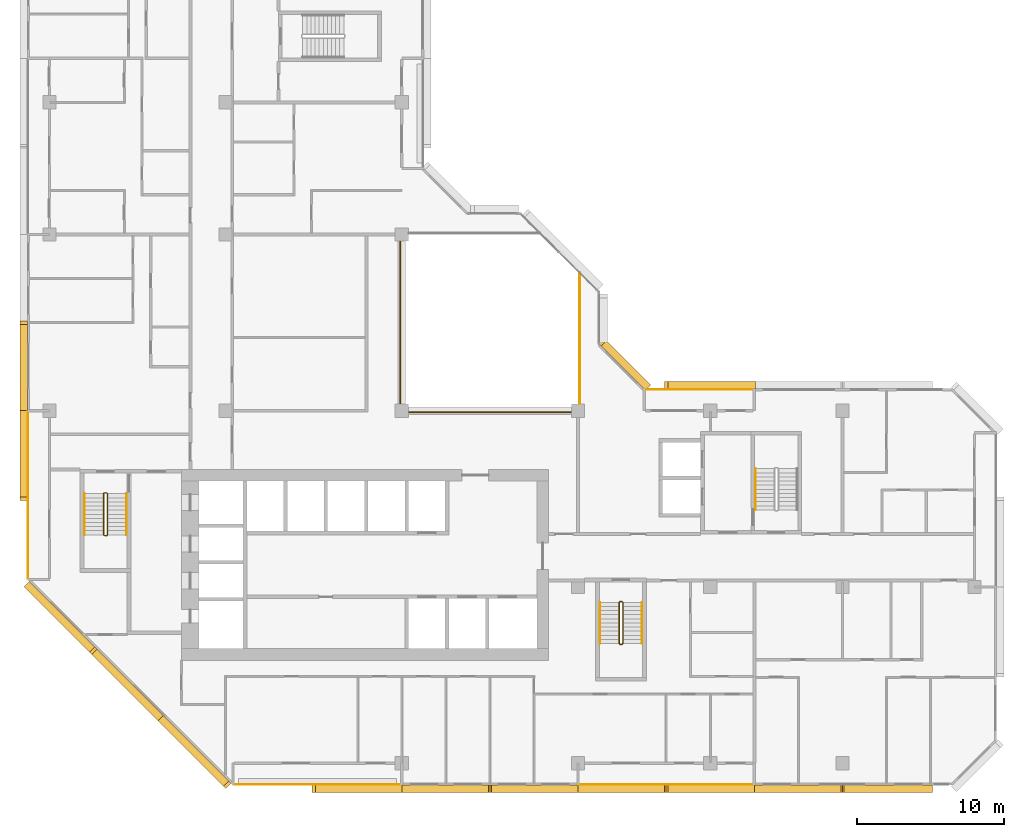
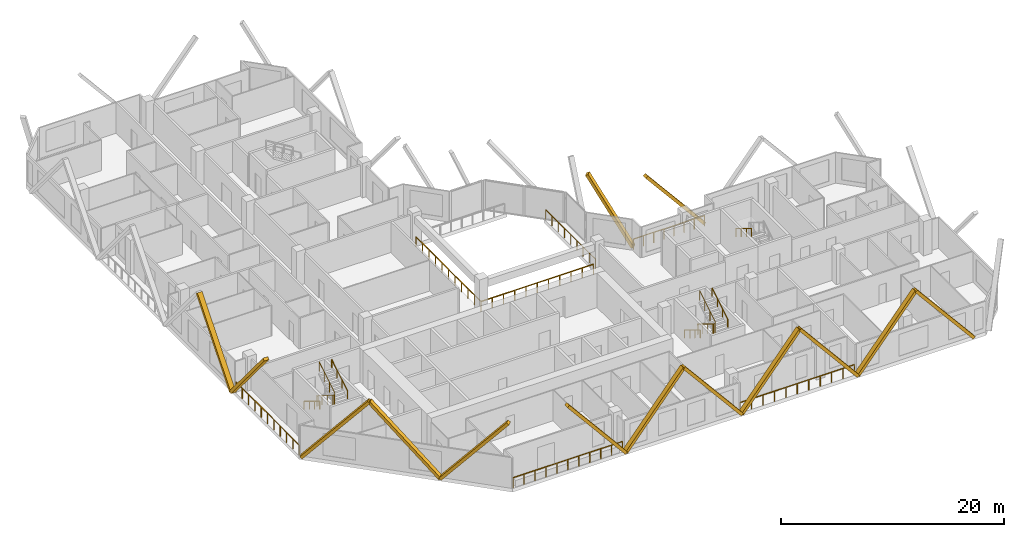
# One storey, part 13 of 14: 14 coverings, 13 railings.
"""IFC4 building model written with IfcOpenShell, lengths in metres."""

import ifcopenshell
import ifcopenshell.guid

model = None  # the IFC model being written
_history = None  # IfcOwnerHistory: only IFC2X3 demands one
_inside = {}  # id of a spatial element -> (the spatial element, [elements in it])
_under = {}  # id of a project, library or spatial element -> (it, [spatial elements below it])
_declared = {}  # id of a project -> (the project, [libraries it declares])
_typed = {}  # id of a type object -> (the type object, [elements of that type])
_made_of = {}  # id of a material, layer set ... -> (it, [elements and type objects made of it])


def new_model(schema):
    """Start an empty IFC model of exactly this schema.

    Asked for "IFC4X3", IfcOpenShell would pick the latest addendum, in which some entities
    have other attributes; the version numbers below select the first issue.
    IFC2X3 requires an IfcOwnerHistory on every rooted entity: one is made here for all.
    """
    global model, _history
    if schema == "IFC4X3":
        model = ifcopenshell.file(schema_version=(4, 3, 0, 0))
    else:
        model = ifcopenshell.file(schema=schema)
    _inside.clear()
    _under.clear()
    _declared.clear()
    _typed.clear()
    _made_of.clear()
    _history = None
    if model.schema == "IFC2X3":
        org = make("IfcOrganization", Name="unknown")
        user = make(
            "IfcPersonAndOrganization",
            ThePerson=make("IfcPerson", FamilyName="unknown"),
            TheOrganization=org,
        )
        app = make(
            "IfcApplication",
            ApplicationDeveloper=org,
            Version="unknown",
            ApplicationFullName="unknown",
            ApplicationIdentifier="unknown",
        )
        _history = make(
            "IfcOwnerHistory",
            OwningUser=user,
            OwningApplication=app,
            ChangeAction="ADDED",
            CreationDate=0,
        )
    return model


def make(cls, **values):
    """One entity of the class cls with the attributes given. An attribute that is None is left unset."""
    return model.create_entity(
        cls, **{name: value for name, value in values.items() if value is not None}
    )


def rooted(cls, **values):
    """An entity with a GlobalId (a new one), such as an element, a storey or a relation."""
    return make(cls, GlobalId=ifcopenshell.guid.new(), OwnerHistory=_history, **values)


def si_unit(unit_type, name, prefix=None):
    """IfcSIUnit, for example si_unit("LENGTHUNIT", "METRE", prefix="MILLI")."""
    return make("IfcSIUnit", UnitType=unit_type, Prefix=prefix, Name=name)


def assignment(units):
    """IfcUnitAssignment: the units of a project."""
    return None if units is None else make("IfcUnitAssignment", Units=units)


def point(xyz):
    """IfcCartesianPoint."""
    return None if xyz is None else make("IfcCartesianPoint", Coordinates=xyz)


def direction(xyz):
    """IfcDirection."""
    return None if xyz is None else make("IfcDirection", DirectionRatios=xyz)


def frame(location, z_axis=None, x_axis=None):
    """IfcAxis2Placement3D, a coordinate frame: its origin and axes. An axis left out is left unset."""
    return make(
        "IfcAxis2Placement3D",
        Location=point(location),
        Axis=direction(z_axis),
        RefDirection=direction(x_axis),
    )


def frame_2d(location, x_axis=None):
    """IfcAxis2Placement2D, a coordinate frame in the plane: its origin and x axis."""
    return make(
        "IfcAxis2Placement2D", Location=point(location), RefDirection=direction(x_axis)
    )


def origin():
    """The frame at (0, 0, 0) with its axes left unset."""
    return frame((0.0, 0.0, 0.0))


def origin_2d():
    """The frame at (0, 0) in the plane with its x axis left unset."""
    return frame_2d((0.0, 0.0))


def place(relative_to, where):
    """IfcLocalPlacement: puts the frame where relative to a parent placement (None: the world)."""
    return make(
        "IfcLocalPlacement", PlacementRelTo=relative_to, RelativePlacement=where
    )


def context(
    kind, dimensions, precision=None, world=None, true_north=None, identifier=None
):
    """IfcGeometricRepresentationContext, for example the 3D "Model" context."""
    return make(
        "IfcGeometricRepresentationContext",
        ContextIdentifier=identifier,
        ContextType=kind,
        CoordinateSpaceDimension=dimensions,
        Precision=precision,
        WorldCoordinateSystem=world,
        TrueNorth=true_north,
    )


def subcontext(parent, identifier, kind, view, scale=None):
    """IfcGeometricRepresentationSubContext, for example "Body" below "Model"."""
    return make(
        "IfcGeometricRepresentationSubContext",
        ContextIdentifier=identifier,
        ContextType=kind,
        ParentContext=parent,
        TargetScale=scale,
        TargetView=view,
    )


def project(units=None, contexts=None):
    """IfcProject with its units and contexts."""
    return rooted(
        "IfcProject",
        Name="project",
        RepresentationContexts=contexts,
        UnitsInContext=assignment(units),
    )


def spatial(cls, under=None, at=None, **own):
    """A site, building, storey or space (cls), placed at a placement, below another one or the project."""
    s = rooted(cls, ObjectPlacement=at, **own)
    if under is not None:
        _under.setdefault(under.id(), (under, []))[1].append(s)
    return s


def profile(cls, at=None, kind="AREA", **sizes):
    """A parametric profile (cls). Its sizes go by their IFC names, for example OverallWidth=200.0."""
    return make(cls, ProfileType=kind, Position=at, **sizes)


def rectangle(**sizes):
    """IfcRectangleProfileDef."""
    return profile("IfcRectangleProfileDef", **sizes)


def extrude(swept, where, along, depth):
    """IfcExtrudedAreaSolid: the profile swept, set in the frame where, extruded along a direction by depth."""
    return make(
        "IfcExtrudedAreaSolid",
        SweptArea=swept,
        Position=where,
        ExtrudedDirection=direction(along),
        Depth=depth,
    )


def shape(context_of_items, identifier, shape_type, items):
    """IfcShapeRepresentation: the items that make up one representation, for example the "Body"."""
    return make(
        "IfcShapeRepresentation",
        ContextOfItems=context_of_items,
        RepresentationIdentifier=identifier,
        RepresentationType=shape_type,
        Items=items,
    )


def material(Name=None, Category=None):
    """IfcMaterial."""
    return make("IfcMaterial", Name=Name, Category=Category)


def material_profile(
    of_material, cross_section, Name=None, Category=None, Priority=None
):
    """IfcMaterialProfile: a cross section and its material."""
    return make(
        "IfcMaterialProfile",
        Name=Name,
        Material=of_material,
        Profile=cross_section,
        Priority=Priority,
        Category=Category,
    )


def profile_set(profiles, Name=None, composite=None):
    """IfcMaterialProfileSet."""
    return make(
        "IfcMaterialProfileSet",
        Name=Name,
        MaterialProfiles=profiles,
        CompositeProfile=composite,
    )


def made_of(thing, what):
    """Note that an element or type object is made of a material, layer set ...; save() writes the relation."""
    if what is not None:
        _made_of.setdefault(what.id(), (what, []))[1].append(thing)
    return thing


def type_object(cls, material=None, **own):
    """A type object (cls), such as IfcWallType, which elements share."""
    return made_of(rooted(cls, **own), material)


def element(
    cls,
    number,
    at=None,
    inside=None,
    cuts=None,
    type_object=None,
    material=None,
    context=None,
    identifier="Body",
    shape_type=None,
    held_by="IfcProductDefinitionShape",
    body=None,
    shapes=None,
    **own,
):
    """One element of the class cls, such as IfcWall. Its Tag is "e" and its number.

    at: its placement. inside: the storey or other place that contains it. cuts: it is an
    opening in that element (IfcRelVoidsElement). A single representation is given by context,
    identifier, shape_type and body (its items); several are given by shapes. held_by: the class
    of the entity that holds the representations. save() writes the other relations.
    """
    e = rooted(cls, Tag="e%d" % number, ObjectPlacement=at, **own)
    if body is not None:
        shapes = [shape(context, identifier, shape_type, body)]
    if shapes is not None:
        e.Representation = make(held_by, Representations=shapes)
    if inside is not None:
        _inside.setdefault(inside.id(), (inside, []))[1].append(e)
    if cuts is not None:
        rooted(
            "IfcRelVoidsElement", RelatingBuildingElement=cuts, RelatedOpeningElement=e
        )
    if type_object is not None:
        _typed.setdefault(type_object.id(), (type_object, []))[1].append(e)
    return made_of(e, material)


def aggregate(whole, parts):
    """IfcRelAggregates: a whole, such as a stair, and the parts it consists of."""
    return rooted("IfcRelAggregates", RelatingObject=whole, RelatedObjects=parts)


def save(model, path):
    """Write the relations noted so far, then the file.

    IfcRelAggregates (storeys below a building ...), IfcRelContainedInSpatialStructure (elements
    in a storey), IfcRelDefinesByType, IfcRelAssociatesMaterial and IfcRelDeclares: one each for
    every whole, place, type object, material and project.
    """
    for whole, parts in _under.values():
        aggregate(whole, parts)
    for where, things in _inside.values():
        rooted(
            "IfcRelContainedInSpatialStructure",
            RelatedElements=things,
            RelatingStructure=where,
        )
    for kind, things in _typed.values():
        rooted("IfcRelDefinesByType", RelatedObjects=things, RelatingType=kind)
    for what, things in _made_of.values():
        rooted("IfcRelAssociatesMaterial", RelatedObjects=things, RelatingMaterial=what)
    for by, libraries in _declared.values():
        rooted("IfcRelDeclares", RelatingContext=by, RelatedDefinitions=libraries)
    model.write(path)


model = new_model("IFC4")

# Units and contexts
model_context = context("Model", 3, precision=1e-05, world=origin(), true_north=direction((0.0, 1.0)))
body_context = subcontext(model_context, "Body", "Model", "MODEL_VIEW")
ifc_project = project(units=[si_unit("LENGTHUNIT", "METRE"), si_unit("AREAUNIT", "SQUARE_METRE"), si_unit("VOLUMEUNIT", "CUBIC_METRE"), si_unit("PLANEANGLEUNIT", "RADIAN"), si_unit("MASSUNIT", "GRAM", prefix="KILO")], contexts=[model_context])

# Site, building, storey
site_placement = place(None, origin())
site = spatial("IfcSite", under=ifc_project, at=site_placement, CompositionType="ELEMENT")
building_placement = place(site_placement, origin())
building = spatial("IfcBuilding", under=site, at=building_placement, Name="Chenar Terraces", CompositionType="ELEMENT")
storey_placement = place(building_placement, frame((0.0, 0.0, 179.89990234375)))
storey = spatial("IfcBuildingStorey", under=building, at=storey_placement, Name="L41", CompositionType="ELEMENT", Elevation=179.89990234375)

# Railings
ifc_material_1 = material(Name="Powder-coated steel", Category="steel")
railing_type_1 = type_object("IfcRailingType", Name="Guard 1100 steel rail with glass infill", PredefinedType="GUARDRAIL", material=ifc_material_1)
railing_1_placement = place(storey_placement, frame((23.89990234375, 35.550048828125, 0.0)))
element("IfcRailing", 1, at=railing_1_placement, inside=storey, type_object=railing_type_1, Name="Guard L41-1", PredefinedType="GUARDRAIL", context=body_context, shape_type="SweptSolid", body=[
    extrude(rectangle(XDim=0.06005859375, YDim=0.06005859375, at=origin_2d()), frame((0.0, 0.0, 1.070068359375), z_axis=(0.0, -1.0, 0.0), x_axis=(1.0, 0.0, 0.0)), (0.0, 0.0, 1.0), 11.650146484375),
    extrude(rectangle(XDim=0.06005859375, YDim=0.06005859375, at=origin_2d()), frame((0.0, -11.650146484375, 1.070068359375), z_axis=(1.0, 0.0, 0.0), x_axis=(0.0, 1.0, 0.0)), (0.0, 0.0, 1.0), 11.650146484375),
    extrude(rectangle(XDim=0.050048828125, YDim=0.050048828125, at=origin_2d()), origin(), (0.0, 0.0, 1.0), 1.0400390625),
    extrude(rectangle(XDim=0.050048828125, YDim=0.050048828125, at=origin_2d()), frame((0.0, -1.1650390625, 0.0)), (0.0, 0.0, 1.0), 1.0400390625),
    extrude(rectangle(XDim=0.050048828125, YDim=0.050048828125, at=origin_2d()), frame((0.0, -2.330078125, 0.0)), (0.0, 0.0, 1.0), 1.0400390625),
    extrude(rectangle(XDim=0.050048828125, YDim=0.050048828125, at=origin_2d()), frame((0.0, -3.4951171875, 0.0)), (0.0, 0.0, 1.0), 1.0400390625),
    extrude(rectangle(XDim=0.050048828125, YDim=0.050048828125, at=origin_2d()), frame((0.0, -4.66015625, 0.0)), (0.0, 0.0, 1.0), 1.0400390625),
    extrude(rectangle(XDim=0.050048828125, YDim=0.050048828125, at=origin_2d()), frame((0.0, -5.8251953125, 0.0)), (0.0, 0.0, 1.0), 1.0400390625),
    extrude(rectangle(XDim=0.050048828125, YDim=0.050048828125, at=origin_2d()), frame((0.0, -6.989990234375, 0.0)), (0.0, 0.0, 1.0), 1.0400390625),
    extrude(rectangle(XDim=0.050048828125, YDim=0.050048828125, at=origin_2d()), frame((0.0, -8.155029296875, 0.0)), (0.0, 0.0, 1.0), 1.0400390625),
    extrude(rectangle(XDim=0.050048828125, YDim=0.050048828125, at=origin_2d()), frame((0.0, -9.320068359375, 0.0)), (0.0, 0.0, 1.0), 1.0400390625),
    extrude(rectangle(XDim=0.050048828125, YDim=0.050048828125, at=origin_2d()), frame((0.0, -10.485107421875, 0.0)), (0.0, 0.0, 1.0), 1.0400390625),
    extrude(rectangle(XDim=0.050048828125, YDim=0.050048828125, at=origin_2d()), frame((0.0, -11.650146484375, 0.0)), (0.0, 0.0, 1.0), 1.0400390625),
    extrude(rectangle(XDim=0.050048828125, YDim=0.050048828125, at=origin_2d()), frame((1.1650390625, -11.650146484375, 0.0)), (0.0, 0.0, 1.0), 1.0400390625),
    extrude(rectangle(XDim=0.050048828125, YDim=0.050048828125, at=origin_2d()), frame((2.330078125, -11.650146484375, 0.0)), (0.0, 0.0, 1.0), 1.0400390625),
    extrude(rectangle(XDim=0.050048828125, YDim=0.050048828125, at=origin_2d()), frame((3.4951171875, -11.650146484375, 0.0)), (0.0, 0.0, 1.0), 1.0400390625),
    extrude(rectangle(XDim=0.050048828125, YDim=0.050048828125, at=origin_2d()), frame((4.66015625, -11.650146484375, 0.0)), (0.0, 0.0, 1.0), 1.0400390625),
    extrude(rectangle(XDim=0.050048828125, YDim=0.050048828125, at=origin_2d()), frame((5.8251953125, -11.650146484375, 0.0)), (0.0, 0.0, 1.0), 1.0400390625),
    extrude(rectangle(XDim=0.050048828125, YDim=0.050048828125, at=origin_2d()), frame((6.989990234375, -11.650146484375, 0.0)), (0.0, 0.0, 1.0), 1.0400390625),
    extrude(rectangle(XDim=0.050048828125, YDim=0.050048828125, at=origin_2d()), frame((8.155029296875, -11.650146484375, 0.0)), (0.0, 0.0, 1.0), 1.0400390625),
    extrude(rectangle(XDim=0.050048828125, YDim=0.050048828125, at=origin_2d()), frame((9.320068359375, -11.650146484375, 0.0)), (0.0, 0.0, 1.0), 1.0400390625),
    extrude(rectangle(XDim=0.050048828125, YDim=0.050048828125, at=origin_2d()), frame((10.485107421875, -11.650146484375, 0.0)), (0.0, 0.0, 1.0), 1.0400390625),
    extrude(rectangle(XDim=0.050048828125, YDim=0.050048828125, at=origin_2d()), frame((11.650146484375, -11.650146484375, 0.0)), (0.0, 0.0, 1.0), 1.0400390625),
])
railing_2_placement = place(storey_placement, frame((36.10009765625, 24.5, 0.0)))
element("IfcRailing", 2, at=railing_2_placement, inside=storey, type_object=railing_type_1, Name="Guard L41-3", PredefinedType="GUARDRAIL", context=body_context, shape_type="SweptSolid", body=[
    extrude(rectangle(XDim=0.06005859375, YDim=0.06005859375, at=origin_2d()), frame((0.0, 0.0, 1.070068359375), z_axis=(0.0, 1.0, 0.0), x_axis=(-1.0, 0.0, 0.0)), (0.0, 0.0, 1.0), 8.89990234375),
    extrude(rectangle(XDim=0.050048828125, YDim=0.050048828125, at=origin_2d()), origin(), (0.0, 0.0, 1.0), 1.0400390625),
    extrude(rectangle(XDim=0.050048828125, YDim=0.050048828125, at=origin_2d()), frame((0.0, 1.112548828125, 0.0)), (0.0, 0.0, 1.0), 1.0400390625),
    extrude(rectangle(XDim=0.050048828125, YDim=0.050048828125, at=origin_2d()), frame((0.0, 2.22509765625, 0.0)), (0.0, 0.0, 1.0), 1.0400390625),
    extrude(rectangle(XDim=0.050048828125, YDim=0.050048828125, at=origin_2d()), frame((0.0, 3.33740234375, 0.0)), (0.0, 0.0, 1.0), 1.0400390625),
    extrude(rectangle(XDim=0.050048828125, YDim=0.050048828125, at=origin_2d()), frame((0.0, 4.449951171875, 0.0)), (0.0, 0.0, 1.0), 1.0400390625),
    extrude(rectangle(XDim=0.050048828125, YDim=0.050048828125, at=origin_2d()), frame((0.0, 5.5625, 0.0)), (0.0, 0.0, 1.0), 1.0400390625),
    extrude(rectangle(XDim=0.050048828125, YDim=0.050048828125, at=origin_2d()), frame((0.0, 6.6748046875, 0.0)), (0.0, 0.0, 1.0), 1.0400390625),
    extrude(rectangle(XDim=0.050048828125, YDim=0.050048828125, at=origin_2d()), frame((0.0, 7.787353515625, 0.0)), (0.0, 0.0, 1.0), 1.0400390625),
    extrude(rectangle(XDim=0.050048828125, YDim=0.050048828125, at=origin_2d()), frame((0.0, 8.89990234375, 0.0)), (0.0, 0.0, 1.0), 1.0400390625),
])
ifc_material_2 = material(Name="Stainless steel and glass", Category="steel")
railing_type_2 = type_object("IfcRailingType", Name="Loggia guard 1150", PredefinedType="GUARDRAIL", material=ifc_material_2)
railing_3_placement = place(storey_placement, frame((47.925048828125, 25.449951171875, 0.0)))
element("IfcRailing", 3, at=railing_3_placement, inside=storey, type_object=railing_type_2, Name="Loggia guard", PredefinedType="GUARDRAIL", context=body_context, shape_type="SweptSolid", body=[
    extrude(rectangle(XDim=0.048095703125, YDim=0.048095703125, at=origin_2d()), frame((0.0, 0.0, 1.1259765625), z_axis=(-1.0, 0.0, 0.0), x_axis=(0.0, -1.0, 0.0)), (0.0, 0.0, 1.0), 7.35009765625),
    extrude(rectangle(XDim=0.0419921875, YDim=0.0419921875, at=origin_2d()), origin(), (0.0, 0.0, 1.0), 1.101806640625),
    extrude(rectangle(XDim=0.0419921875, YDim=0.0419921875, at=origin_2d()), frame((-1.050048828125, 0.0, 0.0)), (0.0, 0.0, 1.0), 1.101806640625),
    extrude(rectangle(XDim=0.0419921875, YDim=0.0419921875, at=origin_2d()), frame((-2.10009765625, 0.0, 0.0)), (0.0, 0.0, 1.0), 1.101806640625),
    extrude(rectangle(XDim=0.0419921875, YDim=0.0419921875, at=origin_2d()), frame((-3.150146484375, 0.0, 0.0)), (0.0, 0.0, 1.0), 1.101806640625),
    extrude(rectangle(XDim=0.0419921875, YDim=0.0419921875, at=origin_2d()), frame((-4.199951171875, 0.0, 0.0)), (0.0, 0.0, 1.0), 1.101806640625),
    extrude(rectangle(XDim=0.0419921875, YDim=0.0419921875, at=origin_2d()), frame((-5.25, 0.0, 0.0)), (0.0, 0.0, 1.0), 1.101806640625),
    extrude(rectangle(XDim=0.0419921875, YDim=0.0419921875, at=origin_2d()), frame((-6.300048828125, 0.0, 0.0)), (0.0, 0.0, 1.0), 1.101806640625),
    extrude(rectangle(XDim=0.0419921875, YDim=0.0419921875, at=origin_2d()), frame((-7.35009765625, 0.0, 0.0)), (0.0, 0.0, 1.0), 1.101806640625),
])
railing_4_placement = place(storey_placement, frame((12.574951171875, -1.449951171875, 0.0)))
element("IfcRailing", 4, at=railing_4_placement, inside=storey, type_object=railing_type_2, Name="Loggia guard", PredefinedType="GUARDRAIL", context=body_context, shape_type="SweptSolid", body=[
    extrude(rectangle(XDim=0.048095703125, YDim=0.048095703125, at=origin_2d()), frame((0.0, 0.0, 1.1259765625), z_axis=(1.0, 0.0, 0.0), x_axis=(0.0, 1.0, 0.0)), (0.0, 0.0, 1.0), 11.35009765625),
    extrude(rectangle(XDim=0.0419921875, YDim=0.0419921875, at=origin_2d()), origin(), (0.0, 0.0, 1.0), 1.101806640625),
    extrude(rectangle(XDim=0.0419921875, YDim=0.0419921875, at=origin_2d()), frame((1.135009765625, 0.0, 0.0)), (0.0, 0.0, 1.0), 1.101806640625),
    extrude(rectangle(XDim=0.0419921875, YDim=0.0419921875, at=origin_2d()), frame((2.27001953125, 0.0, 0.0)), (0.0, 0.0, 1.0), 1.101806640625),
    extrude(rectangle(XDim=0.0419921875, YDim=0.0419921875, at=origin_2d()), frame((3.405029296875, 0.0, 0.0)), (0.0, 0.0, 1.0), 1.101806640625),
    extrude(rectangle(XDim=0.0419921875, YDim=0.0419921875, at=origin_2d()), frame((4.5400390625, 0.0, 0.0)), (0.0, 0.0, 1.0), 1.101806640625),
    extrude(rectangle(XDim=0.0419921875, YDim=0.0419921875, at=origin_2d()), frame((5.675048828125, 0.0, 0.0)), (0.0, 0.0, 1.0), 1.101806640625),
    extrude(rectangle(XDim=0.0419921875, YDim=0.0419921875, at=origin_2d()), frame((6.81005859375, 0.0, 0.0)), (0.0, 0.0, 1.0), 1.101806640625),
    extrude(rectangle(XDim=0.0419921875, YDim=0.0419921875, at=origin_2d()), frame((7.945068359375, 0.0, 0.0)), (0.0, 0.0, 1.0), 1.101806640625),
    extrude(rectangle(XDim=0.0419921875, YDim=0.0419921875, at=origin_2d()), frame((9.080078125, 0.0, 0.0)), (0.0, 0.0, 1.0), 1.101806640625),
    extrude(rectangle(XDim=0.0419921875, YDim=0.0419921875, at=origin_2d()), frame((10.215087890625, 0.0, 0.0)), (0.0, 0.0, 1.0), 1.101806640625),
    extrude(rectangle(XDim=0.0419921875, YDim=0.0419921875, at=origin_2d()), frame((11.35009765625, 0.0, 0.0)), (0.0, 0.0, 1.0), 1.101806640625),
])
railing_5_placement = place(storey_placement, frame((36.074951171875, -1.449951171875, 0.0)))
element("IfcRailing", 5, at=railing_5_placement, inside=storey, type_object=railing_type_2, Name="Loggia guard", PredefinedType="GUARDRAIL", context=body_context, shape_type="SweptSolid", body=[
    extrude(rectangle(XDim=0.048095703125, YDim=0.048095703125, at=origin_2d()), frame((0.0, 0.0, 1.1259765625), z_axis=(1.0, 0.0, 0.0), x_axis=(0.0, 1.0, 0.0)), (0.0, 0.0, 1.0), 11.85009765625),
    extrude(rectangle(XDim=0.0419921875, YDim=0.0419921875, at=origin_2d()), origin(), (0.0, 0.0, 1.0), 1.101806640625),
    extrude(rectangle(XDim=0.0419921875, YDim=0.0419921875, at=origin_2d()), frame((1.18505859375, 0.0, 0.0)), (0.0, 0.0, 1.0), 1.101806640625),
    extrude(rectangle(XDim=0.0419921875, YDim=0.0419921875, at=origin_2d()), frame((2.3701171875, 0.0, 0.0)), (0.0, 0.0, 1.0), 1.101806640625),
    extrude(rectangle(XDim=0.0419921875, YDim=0.0419921875, at=origin_2d()), frame((3.554931640625, 0.0, 0.0)), (0.0, 0.0, 1.0), 1.101806640625),
    extrude(rectangle(XDim=0.0419921875, YDim=0.0419921875, at=origin_2d()), frame((4.739990234375, 0.0, 0.0)), (0.0, 0.0, 1.0), 1.101806640625),
    extrude(rectangle(XDim=0.0419921875, YDim=0.0419921875, at=origin_2d()), frame((5.925048828125, 0.0, 0.0)), (0.0, 0.0, 1.0), 1.101806640625),
    extrude(rectangle(XDim=0.0419921875, YDim=0.0419921875, at=origin_2d()), frame((7.110107421875, 0.0, 0.0)), (0.0, 0.0, 1.0), 1.101806640625),
    extrude(rectangle(XDim=0.0419921875, YDim=0.0419921875, at=origin_2d()), frame((8.295166015625, 0.0, 0.0)), (0.0, 0.0, 1.0), 1.101806640625),
    extrude(rectangle(XDim=0.0419921875, YDim=0.0419921875, at=origin_2d()), frame((9.47998046875, 0.0, 0.0)), (0.0, 0.0, 1.0), 1.101806640625),
    extrude(rectangle(XDim=0.0419921875, YDim=0.0419921875, at=origin_2d()), frame((10.6650390625, 0.0, 0.0)), (0.0, 0.0, 1.0), 1.101806640625),
    extrude(rectangle(XDim=0.0419921875, YDim=0.0419921875, at=origin_2d()), frame((11.85009765625, 0.0, 0.0)), (0.0, 0.0, 1.0), 1.101806640625),
])
railing_6_placement = place(storey_placement, frame((-1.449951171875, 23.925048828125, 0.0)))
element("IfcRailing", 6, at=railing_6_placement, inside=storey, type_object=railing_type_2, Name="Loggia guard", PredefinedType="GUARDRAIL", context=body_context, shape_type="SweptSolid", body=[
    extrude(rectangle(XDim=0.048095703125, YDim=0.048095703125, at=origin_2d()), frame((0.0, 0.0, 1.1259765625), z_axis=(0.0, -1.0, 0.0), x_axis=(1.0, 0.0, 0.0)), (0.0, 0.0, 1.0), 11.35009765625),
    extrude(rectangle(XDim=0.0419921875, YDim=0.0419921875, at=origin_2d()), origin(), (0.0, 0.0, 1.0), 1.101806640625),
    extrude(rectangle(XDim=0.0419921875, YDim=0.0419921875, at=origin_2d()), frame((0.0, -1.135009765625, 0.0)), (0.0, 0.0, 1.0), 1.101806640625),
    extrude(rectangle(XDim=0.0419921875, YDim=0.0419921875, at=origin_2d()), frame((0.0, -2.27001953125, 0.0)), (0.0, 0.0, 1.0), 1.101806640625),
    extrude(rectangle(XDim=0.0419921875, YDim=0.0419921875, at=origin_2d()), frame((0.0, -3.405029296875, 0.0)), (0.0, 0.0, 1.0), 1.101806640625),
    extrude(rectangle(XDim=0.0419921875, YDim=0.0419921875, at=origin_2d()), frame((0.0, -4.5400390625, 0.0)), (0.0, 0.0, 1.0), 1.101806640625),
    extrude(rectangle(XDim=0.0419921875, YDim=0.0419921875, at=origin_2d()), frame((0.0, -5.675048828125, 0.0)), (0.0, 0.0, 1.0), 1.101806640625),
    extrude(rectangle(XDim=0.0419921875, YDim=0.0419921875, at=origin_2d()), frame((0.0, -6.81005859375, 0.0)), (0.0, 0.0, 1.0), 1.101806640625),
    extrude(rectangle(XDim=0.0419921875, YDim=0.0419921875, at=origin_2d()), frame((0.0, -7.945068359375, 0.0)), (0.0, 0.0, 1.0), 1.101806640625),
    extrude(rectangle(XDim=0.0419921875, YDim=0.0419921875, at=origin_2d()), frame((0.0, -9.080078125, 0.0)), (0.0, 0.0, 1.0), 1.101806640625),
    extrude(rectangle(XDim=0.0419921875, YDim=0.0419921875, at=origin_2d()), frame((0.0, -10.215087890625, 0.0)), (0.0, 0.0, 1.0), 1.101806640625),
    extrude(rectangle(XDim=0.0419921875, YDim=0.0419921875, at=origin_2d()), frame((0.0, -11.35009765625, 0.0)), (0.0, 0.0, 1.0), 1.101806640625),
])
ifc_material_3 = material(Name="Powder-coated steel", Category="steel")
railing_type_3 = type_object("IfcRailingType", Name="Stair guard 1100", PredefinedType="GUARDRAIL", material=ifc_material_3)
railing_7_placement = place(storey_placement, frame((3.949951171875, 18.35009765625, 3.75)))
element("IfcRailing", 7, at=railing_7_placement, inside=storey, type_object=railing_type_3, Name="L41 ST1 stair guard 1", PredefinedType="GUARDRAIL", context=body_context, shape_type="SweptSolid", body=[
    extrude(rectangle(XDim=0.048095703125, YDim=0.048095703125, at=origin_2d()), frame((0.0, 0.0, 1.076171875), z_axis=(0.0, -0.854202870247, -0.519939858505), x_axis=(1.0, 0.0, 0.0)), (0.0, 0.0, 1.0), 3.278076171875),
    extrude(rectangle(XDim=0.048095703125, YDim=0.048095703125, at=origin_2d()), frame((0.0, -2.800048828125, -0.62841796875), z_axis=(-0.270899902878, -0.270899902878, -0.923702595667), x_axis=(0.707106781187, -0.707106781187, 0.0)), (0.0, 0.0, 1.0), 0.184814453125),
    extrude(rectangle(XDim=0.048095703125, YDim=0.048095703125, at=origin_2d()), frame((-0.050048828125, -2.85009765625, -0.798828125), z_axis=(-1.0, 0.0, 0.0), x_axis=(0.0, -1.0, 0.0)), (0.0, 0.0, 1.0), 0.14990234375),
    extrude(rectangle(XDim=0.048095703125, YDim=0.048095703125, at=origin_2d()), frame((-0.199951171875, -2.85009765625, -0.798828125), z_axis=(-0.707106781187, 0.707106781187, 0.0), x_axis=(-0.707106781187, -0.707106781187, 0.0)), (0.0, 0.0, 1.0), 0.07080078125),
    extrude(rectangle(XDim=0.048095703125, YDim=0.048095703125, at=origin_2d()), frame((-0.25, -2.800048828125, -0.798828125), z_axis=(0.0, 0.854202870247, -0.519939858505), x_axis=(-1.0, 0.0, 0.0)), (0.0, 0.0, 1.0), 3.278076171875),
    extrude(rectangle(XDim=0.048095703125, YDim=0.048095703125, at=origin_2d()), frame((-0.25, 0.0, -2.50341796875), z_axis=(0.270996696079, 0.269674760976, -0.924032636873), x_axis=(-0.705375805398, 0.708833529934, 0.0)), (0.0, 0.0, 1.0), 0.1845703125),
    extrude(rectangle(XDim=0.048095703125, YDim=0.048095703125, at=origin_2d()), frame((-0.199951171875, 0.0498046875, -2.673828125), z_axis=(1.0, 0.0, 0.0), x_axis=(0.0, 1.0, 0.0)), (0.0, 0.0, 1.0), 0.14990234375),
    extrude(rectangle(XDim=0.0419921875, YDim=0.0419921875, at=origin_2d()), origin(), (0.0, 0.0, 1.0), 1.052001953125),
    extrude(rectangle(XDim=0.0419921875, YDim=0.0419921875, at=origin_2d()), frame((0.0, -0.933349609375, -0.568115234375)), (0.0, 0.0, 1.0), 1.052001953125),
    extrude(rectangle(XDim=0.0419921875, YDim=0.0419921875, at=origin_2d()), frame((0.0, -1.86669921875, -1.13623046875)), (0.0, 0.0, 1.0), 1.052001953125),
    extrude(rectangle(XDim=0.0419921875, YDim=0.0419921875, at=origin_2d()), frame((0.0, -2.800048828125, -1.704345703125)), (0.0, 0.0, 1.0), 1.052001953125),
    extrude(rectangle(XDim=0.0419921875, YDim=0.0419921875, at=origin_2d()), frame((-0.050048828125, -2.85009765625, -1.875)), (0.0, 0.0, 1.0), 1.052001953125),
    extrude(rectangle(XDim=0.0419921875, YDim=0.0419921875, at=origin_2d()), frame((-0.199951171875, -2.85009765625, -1.875)), (0.0, 0.0, 1.0), 1.052001953125),
    extrude(rectangle(XDim=0.0419921875, YDim=0.0419921875, at=origin_2d()), frame((-0.25, -2.800048828125, -1.875)), (0.0, 0.0, 1.0), 1.052001953125),
    extrude(rectangle(XDim=0.0419921875, YDim=0.0419921875, at=origin_2d()), frame((-0.25, -1.86669921875, -2.443115234375)), (0.0, 0.0, 1.0), 1.052001953125),
    extrude(rectangle(XDim=0.0419921875, YDim=0.0419921875, at=origin_2d()), frame((-0.25, -0.933349609375, -3.01123046875)), (0.0, 0.0, 1.0), 1.052001953125),
    extrude(rectangle(XDim=0.0419921875, YDim=0.0419921875, at=origin_2d()), frame((-0.25, 0.0, -3.579345703125)), (0.0, 0.0, 1.0), 1.052001953125),
    extrude(rectangle(XDim=0.0419921875, YDim=0.0419921875, at=origin_2d()), frame((-0.199951171875, 0.0498046875, -3.75)), (0.0, 0.0, 1.0), 1.052001953125),
    extrude(rectangle(XDim=0.0419921875, YDim=0.0419921875, at=origin_2d()), frame((-0.050048828125, 0.0498046875, -3.75)), (0.0, 0.0, 1.0), 1.052001953125),
])
railing_8_placement = place(storey_placement, frame((39.050048828125, 10.949951171875, 3.75)))
element("IfcRailing", 8, at=railing_8_placement, inside=storey, type_object=railing_type_3, Name="L41 ST2 stair guard 1", PredefinedType="GUARDRAIL", context=body_context, shape_type="SweptSolid", body=[
    extrude(rectangle(XDim=0.048095703125, YDim=0.048095703125, at=origin_2d()), frame((0.0, 0.0, 1.076171875), z_axis=(0.0, -0.854202870247, -0.519939858505), x_axis=(1.0, 0.0, 0.0)), (0.0, 0.0, 1.0), 3.278076171875),
    extrude(rectangle(XDim=0.048095703125, YDim=0.048095703125, at=origin_2d()), frame((0.0, -2.800048828125, -0.62841796875), z_axis=(-0.270996696079, -0.269674760976, -0.924032636873), x_axis=(0.705375805398, -0.708833529934, 0.0)), (0.0, 0.0, 1.0), 0.1845703125),
    extrude(rectangle(XDim=0.048095703125, YDim=0.048095703125, at=origin_2d()), frame((-0.050048828125, -2.849853515625, -0.798828125), z_axis=(-1.0, 0.0, 0.0), x_axis=(0.0, -1.0, 0.0)), (0.0, 0.0, 1.0), 0.14990234375),
    extrude(rectangle(XDim=0.048095703125, YDim=0.048095703125, at=origin_2d()), frame((-0.199951171875, -2.849853515625, -0.798828125), z_axis=(-0.708833529934, 0.705375805398, 0.0), x_axis=(-0.705375805398, -0.708833529934, 0.0)), (0.0, 0.0, 1.0), 0.070556640625),
    extrude(rectangle(XDim=0.048095703125, YDim=0.048095703125, at=origin_2d()), frame((-0.25, -2.800048828125, -0.798828125), z_axis=(0.0, 0.854202870247, -0.519939858505), x_axis=(-1.0, 0.0, 0.0)), (0.0, 0.0, 1.0), 3.278076171875),
    extrude(rectangle(XDim=0.048095703125, YDim=0.048095703125, at=origin_2d()), frame((-0.25, 0.0, -2.50341796875), z_axis=(0.270899902878, 0.270899902878, -0.923702595667), x_axis=(-0.707106781187, 0.707106781187, 0.0)), (0.0, 0.0, 1.0), 0.184814453125),
    extrude(rectangle(XDim=0.048095703125, YDim=0.048095703125, at=origin_2d()), frame((-0.199951171875, 0.050048828125, -2.673828125), z_axis=(1.0, 0.0, 0.0), x_axis=(0.0, 1.0, 0.0)), (0.0, 0.0, 1.0), 0.14990234375),
    extrude(rectangle(XDim=0.0419921875, YDim=0.0419921875, at=origin_2d()), origin(), (0.0, 0.0, 1.0), 1.052001953125),
    extrude(rectangle(XDim=0.0419921875, YDim=0.0419921875, at=origin_2d()), frame((0.0, -0.933349609375, -0.568115234375)), (0.0, 0.0, 1.0), 1.052001953125),
    extrude(rectangle(XDim=0.0419921875, YDim=0.0419921875, at=origin_2d()), frame((0.0, -1.86669921875, -1.13623046875)), (0.0, 0.0, 1.0), 1.052001953125),
    extrude(rectangle(XDim=0.0419921875, YDim=0.0419921875, at=origin_2d()), frame((0.0, -2.800048828125, -1.704345703125)), (0.0, 0.0, 1.0), 1.052001953125),
    extrude(rectangle(XDim=0.0419921875, YDim=0.0419921875, at=origin_2d()), frame((-0.050048828125, -2.849853515625, -1.875)), (0.0, 0.0, 1.0), 1.052001953125),
    extrude(rectangle(XDim=0.0419921875, YDim=0.0419921875, at=origin_2d()), frame((-0.199951171875, -2.849853515625, -1.875)), (0.0, 0.0, 1.0), 1.052001953125),
    extrude(rectangle(XDim=0.0419921875, YDim=0.0419921875, at=origin_2d()), frame((-0.25, -2.800048828125, -1.875)), (0.0, 0.0, 1.0), 1.052001953125),
    extrude(rectangle(XDim=0.0419921875, YDim=0.0419921875, at=origin_2d()), frame((-0.25, -1.86669921875, -2.443115234375)), (0.0, 0.0, 1.0), 1.052001953125),
    extrude(rectangle(XDim=0.0419921875, YDim=0.0419921875, at=origin_2d()), frame((-0.25, -0.933349609375, -3.01123046875)), (0.0, 0.0, 1.0), 1.052001953125),
    extrude(rectangle(XDim=0.0419921875, YDim=0.0419921875, at=origin_2d()), frame((-0.25, 0.0, -3.579345703125)), (0.0, 0.0, 1.0), 1.052001953125),
    extrude(rectangle(XDim=0.0419921875, YDim=0.0419921875, at=origin_2d()), frame((-0.199951171875, 0.050048828125, -3.75)), (0.0, 0.0, 1.0), 1.052001953125),
    extrude(rectangle(XDim=0.0419921875, YDim=0.0419921875, at=origin_2d()), frame((-0.050048828125, 0.050048828125, -3.75)), (0.0, 0.0, 1.0), 1.052001953125),
])
ifc_material_4 = material(Name="Powder-coated steel", Category="steel")
railing_type_4 = type_object("IfcRailingType", Name="Stair handrail 900", PredefinedType="HANDRAIL", material=ifc_material_4)
railing_9_placement = place(storey_placement, frame((2.39990234375, 18.35009765625, 0.170654296875)))
element("IfcRailing", 9, at=railing_9_placement, inside=storey, type_object=railing_type_4, Name="L41 ST1 stair handrail 1", PredefinedType="HANDRAIL", context=body_context, shape_type="SweptSolid", body=[
    extrude(rectangle(XDim=0.048095703125, YDim=0.048095703125, at=origin_2d()), frame((0.0, 0.0, 0.8759765625), z_axis=(0.0, -0.854202870247, 0.519939858505), x_axis=(1.0, 0.0, 0.0)), (0.0, 0.0, 1.0), 3.278076171875),
    extrude(rectangle(XDim=0.0419921875, YDim=0.0419921875, at=origin_2d()), origin(), (0.0, 0.0, 1.0), 0.851806640625),
    extrude(rectangle(XDim=0.0419921875, YDim=0.0419921875, at=origin_2d()), frame((0.0, -0.933349609375, 0.568115234375)), (0.0, 0.0, 1.0), 0.851806640625),
    extrude(rectangle(XDim=0.0419921875, YDim=0.0419921875, at=origin_2d()), frame((0.0, -1.86669921875, 1.13623046875)), (0.0, 0.0, 1.0), 0.851806640625),
    extrude(rectangle(XDim=0.0419921875, YDim=0.0419921875, at=origin_2d()), frame((0.0, -2.800048828125, 1.704345703125)), (0.0, 0.0, 1.0), 0.851806640625),
])
railing_10_placement = place(storey_placement, frame((5.25, 15.550048828125, 2.045654296875)))
element("IfcRailing", 10, at=railing_10_placement, inside=storey, type_object=railing_type_4, Name="L41 ST1 stair handrail 2", PredefinedType="HANDRAIL", context=body_context, shape_type="SweptSolid", body=[
    extrude(rectangle(XDim=0.048095703125, YDim=0.048095703125, at=origin_2d()), frame((0.0, 0.0, 0.8759765625), z_axis=(0.0, 0.854202870247, 0.519939858505), x_axis=(-1.0, 0.0, 0.0)), (0.0, 0.0, 1.0), 3.278076171875),
    extrude(rectangle(XDim=0.0419921875, YDim=0.0419921875, at=origin_2d()), origin(), (0.0, 0.0, 1.0), 0.851806640625),
    extrude(rectangle(XDim=0.0419921875, YDim=0.0419921875, at=origin_2d()), frame((0.0, 0.933349609375, 0.568115234375)), (0.0, 0.0, 1.0), 0.851806640625),
    extrude(rectangle(XDim=0.0419921875, YDim=0.0419921875, at=origin_2d()), frame((0.0, 1.86669921875, 1.13623046875)), (0.0, 0.0, 1.0), 0.851806640625),
    extrude(rectangle(XDim=0.0419921875, YDim=0.0419921875, at=origin_2d()), frame((0.0, 2.800048828125, 1.704345703125)), (0.0, 0.0, 1.0), 0.851806640625),
])
railing_11_placement = place(storey_placement, frame((37.5, 10.949951171875, 0.170654296875)))
element("IfcRailing", 11, at=railing_11_placement, inside=storey, type_object=railing_type_4, Name="L41 ST2 stair handrail 1", PredefinedType="HANDRAIL", context=body_context, shape_type="SweptSolid", body=[
    extrude(rectangle(XDim=0.048095703125, YDim=0.048095703125, at=origin_2d()), frame((0.0, 0.0, 0.8759765625), z_axis=(0.0, -0.854202870247, 0.519939858505), x_axis=(1.0, 0.0, 0.0)), (0.0, 0.0, 1.0), 3.278076171875),
    extrude(rectangle(XDim=0.0419921875, YDim=0.0419921875, at=origin_2d()), origin(), (0.0, 0.0, 1.0), 0.851806640625),
    extrude(rectangle(XDim=0.0419921875, YDim=0.0419921875, at=origin_2d()), frame((0.0, -0.933349609375, 0.568115234375)), (0.0, 0.0, 1.0), 0.851806640625),
    extrude(rectangle(XDim=0.0419921875, YDim=0.0419921875, at=origin_2d()), frame((0.0, -1.86669921875, 1.13623046875)), (0.0, 0.0, 1.0), 0.851806640625),
    extrude(rectangle(XDim=0.0419921875, YDim=0.0419921875, at=origin_2d()), frame((0.0, -2.800048828125, 1.704345703125)), (0.0, 0.0, 1.0), 0.851806640625),
])
railing_12_placement = place(storey_placement, frame((40.35009765625, 8.14990234375, 2.045654296875)))
element("IfcRailing", 12, at=railing_12_placement, inside=storey, type_object=railing_type_4, Name="L41 ST2 stair handrail 2", PredefinedType="HANDRAIL", context=body_context, shape_type="SweptSolid", body=[
    extrude(rectangle(XDim=0.048095703125, YDim=0.048095703125, at=origin_2d()), frame((0.0, 0.0, 0.8759765625), z_axis=(0.0, 0.854202870247, 0.519939858505), x_axis=(-1.0, 0.0, 0.0)), (0.0, 0.0, 1.0), 3.278076171875),
    extrude(rectangle(XDim=0.0419921875, YDim=0.0419921875, at=origin_2d()), origin(), (0.0, 0.0, 1.0), 0.851806640625),
    extrude(rectangle(XDim=0.0419921875, YDim=0.0419921875, at=origin_2d()), frame((0.0, 0.933349609375, 0.568115234375)), (0.0, 0.0, 1.0), 0.851806640625),
    extrude(rectangle(XDim=0.0419921875, YDim=0.0419921875, at=origin_2d()), frame((0.0, 1.86669921875, 1.13623046875)), (0.0, 0.0, 1.0), 0.851806640625),
    extrude(rectangle(XDim=0.0419921875, YDim=0.0419921875, at=origin_2d()), frame((0.0, 2.800048828125, 1.704345703125)), (0.0, 0.0, 1.0), 0.851806640625),
])
railing_13_placement = place(storey_placement, frame((48.074951171875, 20.050048828125, 2.045654296875)))
element("IfcRailing", 13, at=railing_13_placement, inside=storey, type_object=railing_type_4, Name="L41 ST3 stair handrail 2", PredefinedType="HANDRAIL", context=body_context, shape_type="SweptSolid", body=[
    extrude(rectangle(XDim=0.048095703125, YDim=0.048095703125, at=origin_2d()), frame((0.0, 0.0, 0.8759765625), z_axis=(0.0, -0.854202870247, 0.519939858505), x_axis=(1.0, 0.0, 0.0)), (0.0, 0.0, 1.0), 3.278076171875),
    extrude(rectangle(XDim=0.0419921875, YDim=0.0419921875, at=origin_2d()), origin(), (0.0, 0.0, 1.0), 0.851806640625),
    extrude(rectangle(XDim=0.0419921875, YDim=0.0419921875, at=origin_2d()), frame((0.0, -0.933349609375, 0.568115234375)), (0.0, 0.0, 1.0), 0.851806640625),
    extrude(rectangle(XDim=0.0419921875, YDim=0.0419921875, at=origin_2d()), frame((0.0, -1.86669921875, 1.13623046875)), (0.0, 0.0, 1.0), 0.851806640625),
    extrude(rectangle(XDim=0.0419921875, YDim=0.0419921875, at=origin_2d()), frame((0.0, -2.800048828125, 1.704345703125)), (0.0, 0.0, 1.0), 0.851806640625),
])

# Coverings
ifc_material_5 = material(Name="Terracotta", Category="masonry")
ifc_material_profile = material_profile(ifc_material_5, rectangle(XDim=0.5, YDim=0.300048828125, at=origin_2d()), Name="Terracotta baguette 500 x 300")
ifc_profile_set = profile_set([ifc_material_profile], Name="Terracotta")
covering_type = type_object("IfcCoveringType", Name="Terracotta baguette 500 x 300", PredefinedType="CLADDING", material=ifc_profile_set)
covering_1_placement = place(storey_placement, frame((48.0, 25.75, 0.150146484375), z_axis=(-0.640186961885, 0.0, 0.768219144407), x_axis=(0.0, -1.0, 0.0)))
element("IfcCovering", 14, at=covering_1_placement, inside=storey, type_object=covering_type, Name="Terracotta baguette", PredefinedType="CLADDING", context=body_context, shape_type="SweptSolid", body=[
    extrude(rectangle(XDim=0.5, YDim=0.300048828125, at=origin_2d()), origin(), (0.0, 0.0, 1.0), 9.372314453125),
])
covering_2_placement = place(storey_placement, frame((40.6767578125, 25.6767578125, 0.150146484375), z_axis=(-0.358980886355, 0.358980886355, 0.861548284464), x_axis=(-0.707106781187, -0.707106781187, 0.0)))
element("IfcCovering", 15, at=covering_2_placement, inside=storey, type_object=covering_type, Name="Terracotta baguette", PredefinedType="CLADDING", context=body_context, shape_type="SweptSolid", body=[
    extrude(rectangle(XDim=0.5, YDim=0.300048828125, at=origin_2d()), origin(), (0.0, 0.0, 1.0), 8.35693359375),
])
for number, where, z_axis, x_axis, name in (
    (16, (-1.75, 30.0, 7.35009765625), (0.0, -0.640186961885, -0.768219144407), (1.0, 0.0, 0.0), "Terracotta baguette"),
    (17, (-1.75, 24.0, 0.150146484375), (0.0, -0.640186961885, 0.768219144407), (1.0, 0.0, 0.0), "Terracotta baguette"),
):
    element("IfcCovering", number, at=place(storey_placement, frame(where, z_axis=z_axis, x_axis=x_axis)), inside=storey, type_object=covering_type, Name=name, PredefinedType="CLADDING", context=body_context, shape_type="SweptSolid", body=[
        extrude(rectangle(XDim=0.5, YDim=0.300048828125, at=origin_2d()), origin(), (0.0, 0.0, 1.0), 9.372314453125),
    ])
covering_3_placement = place(storey_placement, frame((-1.464599609375, 12.111083984375, 0.150146484375), z_axis=(0.465624035565, -0.465624035565, 0.752587878595), x_axis=(0.707106781187, 0.707106781187, 0.0)))
element("IfcCovering", 18, at=covering_3_placement, inside=storey, type_object=covering_type, Name="Terracotta baguette", PredefinedType="CLADDING", context=body_context, shape_type="SweptSolid", body=[
    extrude(rectangle(XDim=0.5, YDim=0.300048828125, at=origin_2d()), origin(), (0.0, 0.0, 1.0), 9.56689453125),
])
covering_4_placement = place(storey_placement, frame((2.989990234375, 7.656494140625, 7.35009765625), z_axis=(0.477788925607, -0.477788925607, -0.737180768289), x_axis=(0.707106781187, 0.707106781187, 0.0)))
element("IfcCovering", 19, at=covering_4_placement, inside=storey, type_object=covering_type, Name="Terracotta baguette", PredefinedType="CLADDING", context=body_context, shape_type="SweptSolid", body=[
    extrude(rectangle(XDim=0.5, YDim=0.300048828125, at=origin_2d()), origin(), (0.0, 0.0, 1.0), 9.766845703125),
])
covering_5_placement = place(storey_placement, frame((7.656494140625, 2.989990234375, 0.150146484375), z_axis=(0.465624035565, -0.465624035565, 0.752587878595), x_axis=(0.707106781187, 0.707106781187, 0.0)))
element("IfcCovering", 20, at=covering_5_placement, inside=storey, type_object=covering_type, Name="Terracotta baguette", PredefinedType="CLADDING", context=body_context, shape_type="SweptSolid", body=[
    extrude(rectangle(XDim=0.5, YDim=0.300048828125, at=origin_2d()), origin(), (0.0, 0.0, 1.0), 9.56689453125),
])
for number, where, z_axis, x_axis, name in (
    (21, (18.0, -1.75, 7.35009765625), (0.640186961885, 0.0, -0.768219144407), (0.0, 1.0, 0.0), "Terracotta baguette"),
    (22, (24.0, -1.75, 0.150146484375), (0.640186961885, 0.0, 0.768219144407), (0.0, 1.0, 0.0), "Terracotta baguette"),
    (23, (30.0, -1.75, 7.35009765625), (0.640186961885, 0.0, -0.768219144407), (0.0, 1.0, 0.0), "Terracotta baguette"),
    (24, (36.0, -1.75, 0.150146484375), (0.640186961885, 0.0, 0.768219144407), (0.0, 1.0, 0.0), "Terracotta baguette"),
    (25, (42.0, -1.75, 7.35009765625), (0.640186961885, 0.0, -0.768219144407), (0.0, 1.0, 0.0), "Terracotta baguette"),
    (26, (48.0, -1.75, 0.150146484375), (0.640186961885, 0.0, 0.768219144407), (0.0, 1.0, 0.0), "Terracotta baguette"),
    (27, (54.0, -1.75, 7.35009765625), (0.640186961885, 0.0, -0.768219144407), (0.0, 1.0, 0.0), "Terracotta baguette"),
):
    element("IfcCovering", number, at=place(storey_placement, frame(where, z_axis=z_axis, x_axis=x_axis)), inside=storey, type_object=covering_type, Name=name, PredefinedType="CLADDING", context=body_context, shape_type="SweptSolid", body=[
        extrude(rectangle(XDim=0.5, YDim=0.300048828125, at=origin_2d()), origin(), (0.0, 0.0, 1.0), 9.372314453125),
    ])

save(model, "model.ifc")
